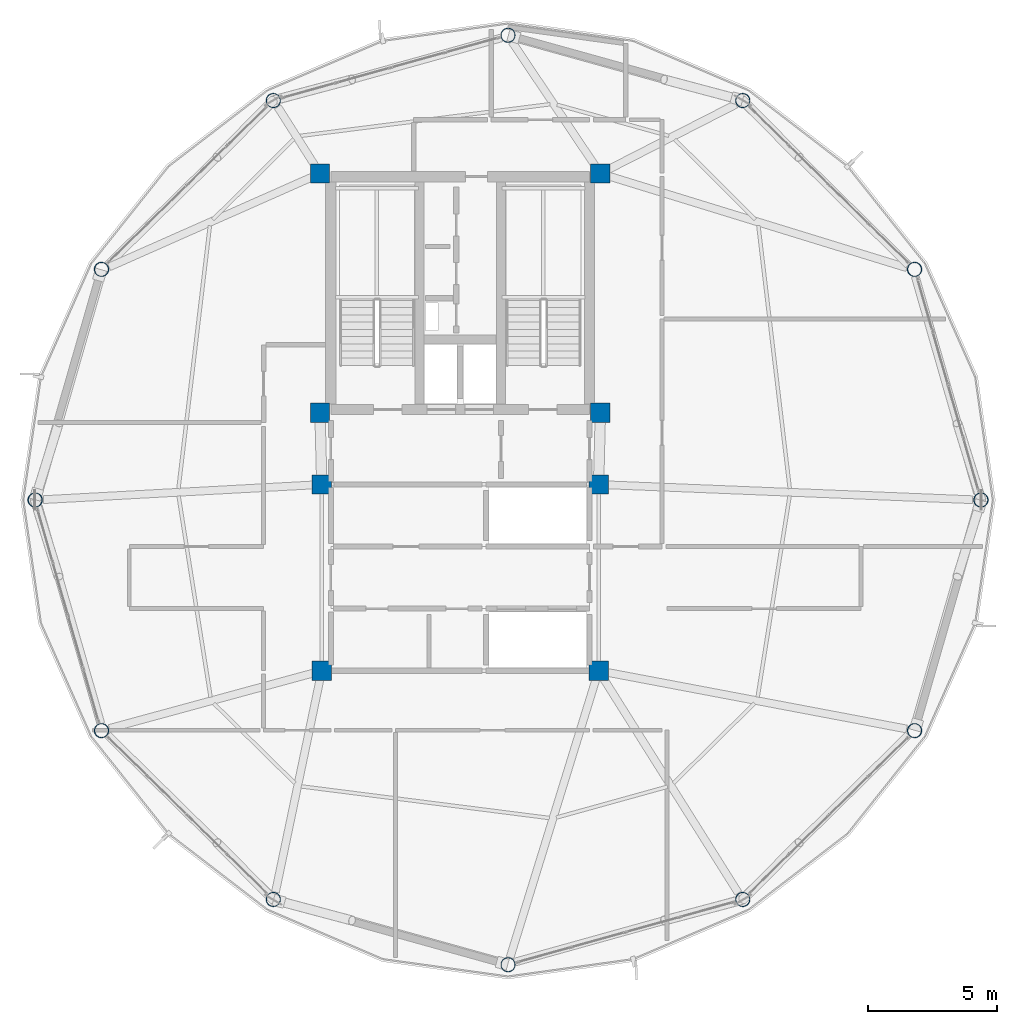
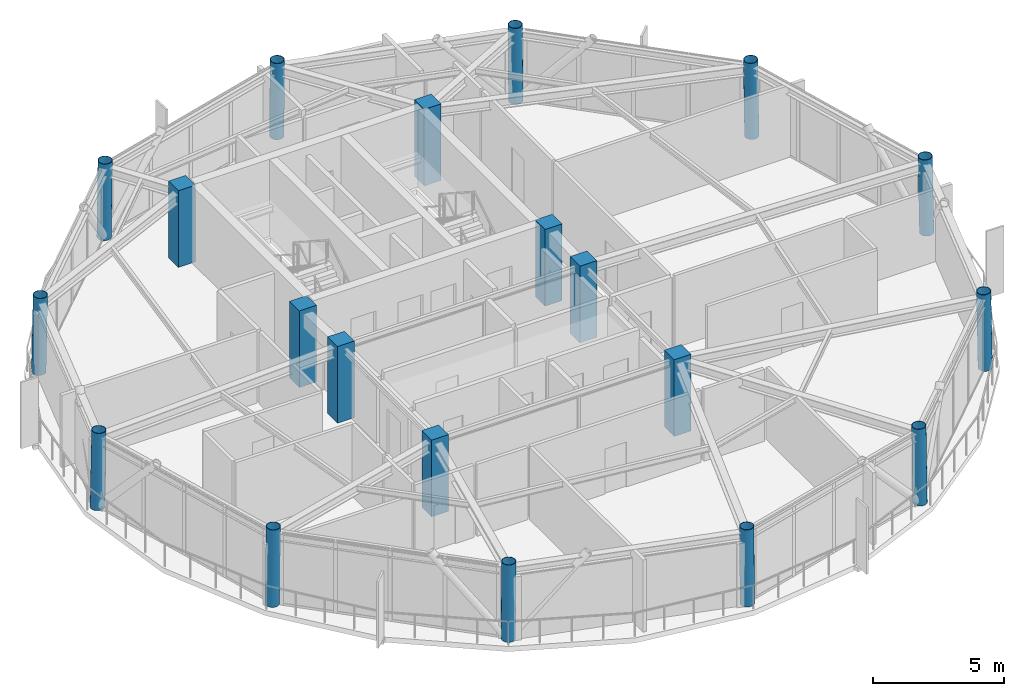
# One storey, part 1 of 25: 20 columns.
"""IFC4 building model written with IfcOpenShell, lengths in metres."""

from ifc_helpers import new_model, si_unit, direction, frame, origin, origin_2d, place, context, subcontext, project, spatial, rectangle, hollow_circle, extrude, material, material_profile, profile_set, type_object, element, save


model = new_model("IFC4")

# Units and contexts
model_context = context("Model", 3, precision=1e-05, world=origin(), true_north=direction((0.0, 1.0)))
body_context = subcontext(model_context, "Body", "Model", "MODEL_VIEW")
ifc_project = project(units=[si_unit("LENGTHUNIT", "METRE"), si_unit("AREAUNIT", "SQUARE_METRE"), si_unit("VOLUMEUNIT", "CUBIC_METRE"), si_unit("PLANEANGLEUNIT", "RADIAN"), si_unit("MASSUNIT", "GRAM", prefix="KILO")], contexts=[model_context])

# Site, building, storey
site_placement = place(None, origin())
site = spatial("IfcSite", under=ifc_project, at=site_placement, CompositionType="ELEMENT")
building_placement = place(site_placement, origin())
building = spatial("IfcBuilding", under=site, at=building_placement, Name="Varnakorn Sky Granary", CompositionType="ELEMENT")
storey_placement = place(building_placement, frame((0.0, 0.0, 259.800048828125)))
storey = spatial("IfcBuildingStorey", under=building, at=storey_placement, Name="L66", CompositionType="ELEMENT", Elevation=259.800048828125)

# Columns
ifc_material_1 = material(Name="Steel S460M", Category="steel")
ifc_material_profile_1 = material_profile(ifc_material_1, hollow_circle(Radius=0.279541015625, WallThickness=0.02001953125, at=origin_2d()), Name="CHS 559x20")
ifc_profile_set_1 = profile_set([ifc_material_profile_1], Name="Steel S460M")
column_type_1 = type_object("IfcColumnType", Name="COL-DC-Z5", PredefinedType="COLUMN", material=ifc_profile_set_1)
column_1_placement = place(storey_placement, frame((23.14208984375, 0.0, 0.0), z_axis=(-0.019050015053, 0.0, 0.999818531998), x_axis=(0.0, -1.0, 0.0)))
element("IfcColumn", 1, at=column_1_placement, inside=storey, type_object=column_type_1, Name="Drum Perimeter Column DC01 L66", PredefinedType="COLUMN", context=body_context, shape_type="SweptSolid", body=[
    extrude(hollow_circle(Radius=0.279541015625, WallThickness=0.02001953125, at=origin_2d()), origin(), (0.0, 0.0, 1.0), 3.57568359375),
])
column_2_placement = place(storey_placement, frame((20.574462890625, 8.91796875, 0.0), z_axis=(-0.016524222766, -0.004779733858, 0.999852041157), x_axis=(0.277865302681, -0.960620046411, 0.0)))
element("IfcColumn", 2, at=column_2_placement, inside=storey, type_object=column_type_1, Name="Drum Perimeter Column DC02 L66", PredefinedType="COLUMN", context=body_context, shape_type="SweptSolid", body=[
    extrude(hollow_circle(Radius=0.279541015625, WallThickness=0.02001953125, at=origin_2d()), origin(), (0.0, 0.0, 1.0), 3.575439453125),
])
for number, where, z_axis, x_axis, name in (
    (3, (13.928466796875, 15.4462890625, 0.0), (-0.009491843964, -0.008194397667, 0.999921375282), (0.653478078623, -0.756945441072, 0.0), "Drum Perimeter Column DC03 L66"),
    (4, (4.85009765625, 17.970947265625, 0.0), (0.0, -0.00949216266, 0.999954948409), (1.0, 0.0, 0.0), "Drum Perimeter Column DC04 L66"),
    (5, (-4.228515625, 15.4462890625, 0.0), (0.009491843964, -0.008194397667, 0.999921375282), (0.653478078623, 0.756945441072, 0.0), "Drum Perimeter Column DC05 L66"),
):
    element("IfcColumn", number, at=place(storey_placement, frame(where, z_axis=z_axis, x_axis=x_axis)), inside=storey, type_object=column_type_1, Name=name, PredefinedType="COLUMN", context=body_context, shape_type="SweptSolid", body=[
        extrude(hollow_circle(Radius=0.279541015625, WallThickness=0.02001953125, at=origin_2d()), origin(), (0.0, 0.0, 1.0), 3.5751953125),
    ])
column_3_placement = place(storey_placement, frame((-10.87451171875, 8.91796875, 0.0), z_axis=(0.016524222766, -0.004779733858, 0.999852041157), x_axis=(0.277865302681, 0.960620046411, 0.0)))
element("IfcColumn", 6, at=column_3_placement, inside=storey, type_object=column_type_1, Name="Drum Perimeter Column DC06 L66", PredefinedType="COLUMN", context=body_context, shape_type="SweptSolid", body=[
    extrude(hollow_circle(Radius=0.279541015625, WallThickness=0.02001953125, at=origin_2d()), origin(), (0.0, 0.0, 1.0), 3.575439453125),
])
column_4_placement = place(storey_placement, frame((-13.44189453125, 0.0, 0.0), z_axis=(0.018981760075, 0.0, 0.999819830162), x_axis=(0.0, 1.0, 0.0)))
element("IfcColumn", 7, at=column_4_placement, inside=storey, type_object=column_type_1, Name="Drum Perimeter Column DC07 L66", PredefinedType="COLUMN", context=body_context, shape_type="SweptSolid", body=[
    extrude(hollow_circle(Radius=0.279541015625, WallThickness=0.02001953125, at=origin_2d()), origin(), (0.0, 0.0, 1.0), 3.57568359375),
])
column_5_placement = place(storey_placement, frame((-10.87451171875, -8.91796875, 0.0), z_axis=(0.016524222766, 0.004779733858, 0.999852041157), x_axis=(-0.277865302681, 0.960620046411, 0.0)))
element("IfcColumn", 8, at=column_5_placement, inside=storey, type_object=column_type_1, Name="Drum Perimeter Column DC08 L66", PredefinedType="COLUMN", context=body_context, shape_type="SweptSolid", body=[
    extrude(hollow_circle(Radius=0.279541015625, WallThickness=0.02001953125, at=origin_2d()), origin(), (0.0, 0.0, 1.0), 3.575439453125),
])
for number, where, z_axis, x_axis, name in (
    (9, (-4.228515625, -15.4462890625, 0.0), (0.009491843964, 0.008194397667, 0.999921375282), (-0.653478078623, 0.756945441072, 0.0), "Drum Perimeter Column DC09 L66"),
    (10, (4.85009765625, -17.970947265625, 0.0), (0.0, 0.00949216266, 0.999954948409), (-1.0, 0.0, 0.0), "Drum Perimeter Column DC10 L66"),
    (11, (13.928466796875, -15.4462890625, 0.0), (-0.009491843964, 0.008194397667, 0.999921375282), (-0.653478078623, -0.756945441072, 0.0), "Drum Perimeter Column DC11 L66"),
):
    element("IfcColumn", number, at=place(storey_placement, frame(where, z_axis=z_axis, x_axis=x_axis)), inside=storey, type_object=column_type_1, Name=name, PredefinedType="COLUMN", context=body_context, shape_type="SweptSolid", body=[
        extrude(hollow_circle(Radius=0.279541015625, WallThickness=0.02001953125, at=origin_2d()), origin(), (0.0, 0.0, 1.0), 3.5751953125),
    ])
column_6_placement = place(storey_placement, frame((20.574462890625, -8.91796875, 0.0), z_axis=(-0.016524222766, 0.004779733858, 0.999852041157), x_axis=(-0.277865302681, -0.960620046411, 0.0)))
element("IfcColumn", 12, at=column_6_placement, inside=storey, type_object=column_type_1, Name="Drum Perimeter Column DC12 L66", PredefinedType="COLUMN", context=body_context, shape_type="SweptSolid", body=[
    extrude(hollow_circle(Radius=0.279541015625, WallThickness=0.02001953125, at=origin_2d()), origin(), (0.0, 0.0, 1.0), 3.575439453125),
])
ifc_material_2 = material(Name="Concrete C50/60", Category="concrete")
ifc_material_profile_2 = material_profile(ifc_material_2, rectangle(XDim=0.75, YDim=0.75, at=origin_2d()), Name="RC 750x750")
ifc_profile_set_2 = profile_set([ifc_material_profile_2], Name="Concrete C50/60")
column_type_2 = type_object("IfcColumnType", Name="COL-MC-Z5", PredefinedType="COLUMN", material=ifc_profile_set_2)
for number, where, z_axis, x_axis, name in (
    (13, (-2.419921875, 12.6201171875, 0.0), (0.0, 0.0, 1.0), (1.0, 0.0, 0.0), "Backbone Mega-Column MC1 L66"),
    (14, (8.419921875, 12.6201171875, 0.0), (0.0, 0.0, 1.0), (1.0, 0.0, 0.0), "Backbone Mega-Column MC2 L66"),
    (15, (-2.419921875, 3.3798828125, 0.0), (0.0, 0.0, 1.0), (1.0, 0.0, 0.0), "Backbone Mega-Column MC3 L66"),
    (16, (8.419921875, 3.3798828125, 0.0), (0.0, 0.0, 1.0), (1.0, 0.0, 0.0), "Backbone Mega-Column MC4 L66"),
    (17, (-2.35009765625, 0.60009765625, 0.0), (0.0, 0.0, 1.0), (1.0, 0.0, 0.0), "Backbone Mega-Column MC5 L66"),
    (18, (8.35009765625, 0.60009765625, 0.0), (0.0, 0.0, 1.0), (1.0, 0.0, 0.0), "Backbone Mega-Column MC6 L66"),
    (19, (-2.35009765625, -6.60009765625, 0.0), (0.0, 0.0, 1.0), (1.0, 0.0, 0.0), "Backbone Mega-Column MC7 L66"),
    (20, (8.35009765625, -6.60009765625, 0.0), (0.0, 0.0, 1.0), (1.0, 0.0, 0.0), "Backbone Mega-Column MC8 L66"),
):
    element("IfcColumn", number, at=place(storey_placement, frame(where, z_axis=z_axis, x_axis=x_axis)), inside=storey, type_object=column_type_2, Name=name, PredefinedType="COLUMN", context=body_context, shape_type="SweptSolid", body=[
        extrude(rectangle(XDim=0.75, YDim=0.75, at=origin_2d()), origin(), (0.0, 0.0, 1.0), 3.574951171875),
    ])

save(model, "model.ifc")
